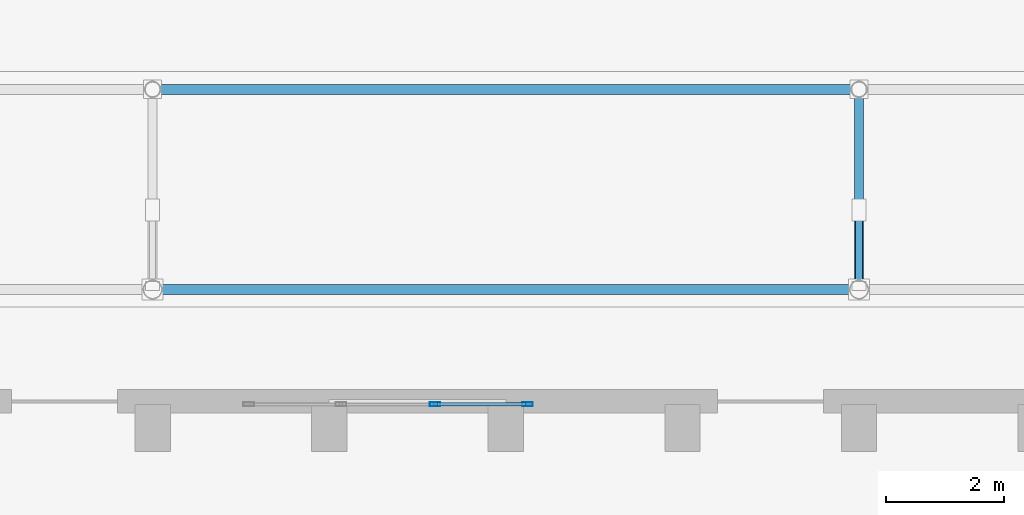
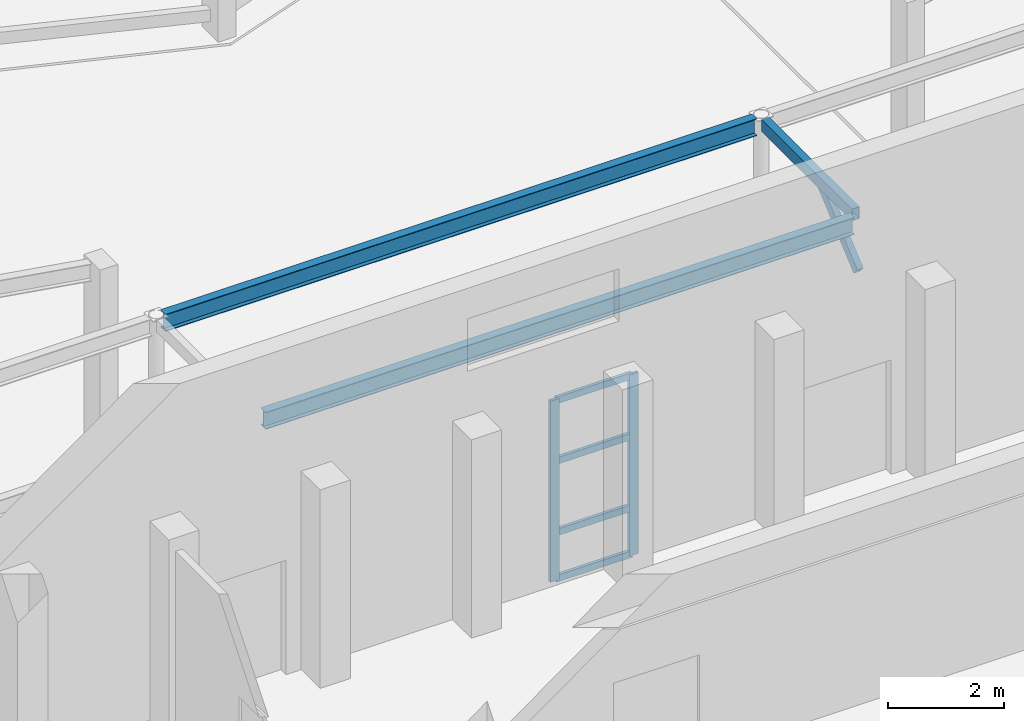
# One storey, part 21 of 114: 7 members, 3 beams, 1 element without a shape of its own.
"""IFC4 building model written with IfcOpenShell, lengths in metres."""

from ifc_helpers import new_model, si_unit, direction, frame, origin, origin_2d, place, context, subcontext, project, spatial, hollow_rectangle, i_section, extrude, material, layer, layer_set, material_profile, profile_set, type_object, element, aggregate, save


model = new_model("IFC4")

# Units and contexts
model_context = context("Model", 3, precision=1e-05, world=origin(), true_north=direction((0.0, 1.0)))
body_context = subcontext(model_context, "Body", "Model", "MODEL_VIEW")
ifc_project = project(units=[si_unit("LENGTHUNIT", "METRE"), si_unit("AREAUNIT", "SQUARE_METRE"), si_unit("VOLUMEUNIT", "CUBIC_METRE"), si_unit("PLANEANGLEUNIT", "RADIAN"), si_unit("MASSUNIT", "GRAM", prefix="KILO")], contexts=[model_context])

# Site, building, storey
site_placement = place(None, origin())
site = spatial("IfcSite", under=ifc_project, at=site_placement, CompositionType="ELEMENT")
building_placement = place(site_placement, origin())
building = spatial("IfcBuilding", under=site, at=building_placement, Name="Keldmere Railside Commons", CompositionType="ELEMENT")
storey_placement = place(building_placement, origin())
storey = spatial("IfcBuildingStorey", under=building, at=storey_placement, Name="L00", CompositionType="ELEMENT", Elevation=0.0)

# Curtain wall, members
ifc_material_1 = material(Name="Thermally Broken Aluminium", Category="aluminium")
ifc_layer = layer(ifc_material_1, 0.159912109375, Name="Community Hall Foyer Glazed Screen CW 4800x3800")
ifc_layer_set = layer_set([ifc_layer], Name="Thermally Broken Aluminium")
curtain_wall_type = type_object("IfcCurtainWallType", Name="Community Hall Foyer Glazed Screen CW 4800x3800", PredefinedType="NOTDEFINED", material=ifc_layer_set)
curtain_wall_placement = place(storey_placement, origin())
curtain_wall = element("IfcCurtainWall", 1, at=curtain_wall_placement, inside=storey, type_object=curtain_wall_type, Name="CW-05 CW-L00-211", PredefinedType="NOTDEFINED")
ifc_material_profile_1 = material_profile(ifc_material_1, hollow_rectangle(XDim=0.06494140625, YDim=0.179931640625, WallThickness=0.00390625, at=origin_2d()), Name="ALU-MULL-65x180")
ifc_profile_set_1 = profile_set([ifc_material_profile_1], Name="Thermally Broken Aluminium")
member_type_1 = type_object("IfcMemberType", Name="Civic Tall Curtain Wall Mullion 65x180", PredefinedType="MULLION", material=ifc_profile_set_1)
member_1_placement = place(storey_placement, frame((80.800048828125, 47.14990234375, 0.0), z_axis=(0.0, 0.0, 1.0), x_axis=(0.0, 1.0, 0.0)))
member_1 = element("IfcMember", 2, at=member_1_placement, type_object=member_type_1, Name="CW-05 mullion 3", PredefinedType="MULLION", context=body_context, shape_type="SweptSolid", body=[
    extrude(hollow_rectangle(XDim=0.06494140625, YDim=0.179931640625, WallThickness=0.00390625, at=origin_2d()), origin(), (0.0, 0.0, 1.0), 3.800048828125),
])
member_2_placement = place(storey_placement, frame((82.367431640625, 47.14990234375, 0.0), z_axis=(0.0, 0.0, 1.0), x_axis=(0.0, 1.0, 0.0)))
member_2 = element("IfcMember", 3, at=member_2_placement, type_object=member_type_1, Name="CW-05 mullion 4", PredefinedType="MULLION", context=body_context, shape_type="SweptSolid", body=[
    extrude(hollow_rectangle(XDim=0.06494140625, YDim=0.179931640625, WallThickness=0.00390625, at=origin_2d()), origin(), (0.0, 0.0, 1.0), 3.800048828125),
])
ifc_material_profile_2 = material_profile(ifc_material_1, hollow_rectangle(XDim=0.06494140625, YDim=0.139892578125, WallThickness=0.00390625, at=origin_2d()), Name="ALU-TRAN-65x140")
ifc_profile_set_2 = profile_set([ifc_material_profile_2], Name="Thermally Broken Aluminium")
member_type_2 = type_object("IfcMemberType", Name="Civic Tall Curtain Wall Transom 65x140", PredefinedType="USERDEFINED", material=ifc_profile_set_2)
member_3_placement = place(storey_placement, frame((80.83251953125, 47.14990234375, 0.032470703125), z_axis=(1.0, 0.0, 0.0), x_axis=(0.0, 1.0, 0.0)))
member_3 = element("IfcMember", 4, at=member_3_placement, type_object=member_type_2, Name="CW-05 transom 3.1", ObjectType="TRANSOM", PredefinedType="USERDEFINED", context=body_context, shape_type="SweptSolid", body=[
    extrude(hollow_rectangle(XDim=0.06494140625, YDim=0.139892578125, WallThickness=0.00390625, at=origin_2d()), origin(), (0.0, 0.0, 1.0), 1.50244140625),
])
member_4_placement = place(storey_placement, frame((80.83251953125, 47.14990234375, 1.0), z_axis=(1.0, 0.0, 0.0), x_axis=(0.0, 1.0, 0.0)))
member_4 = element("IfcMember", 5, at=member_4_placement, type_object=member_type_2, Name="CW-05 transom 3.2", ObjectType="TRANSOM", PredefinedType="USERDEFINED", context=body_context, shape_type="SweptSolid", body=[
    extrude(hollow_rectangle(XDim=0.06494140625, YDim=0.139892578125, WallThickness=0.00390625, at=origin_2d()), origin(), (0.0, 0.0, 1.0), 1.50244140625),
])
member_5_placement = place(storey_placement, frame((80.83251953125, 47.14990234375, 2.5), z_axis=(1.0, 0.0, 0.0), x_axis=(0.0, 1.0, 0.0)))
member_5 = element("IfcMember", 6, at=member_5_placement, type_object=member_type_2, Name="CW-05 transom 3.3", ObjectType="TRANSOM", PredefinedType="USERDEFINED", context=body_context, shape_type="SweptSolid", body=[
    extrude(hollow_rectangle(XDim=0.06494140625, YDim=0.139892578125, WallThickness=0.00390625, at=origin_2d()), origin(), (0.0, 0.0, 1.0), 1.50244140625),
])
member_6_placement = place(storey_placement, frame((80.83251953125, 47.14990234375, 3.767578125), z_axis=(1.0, 0.0, 0.0), x_axis=(0.0, 1.0, 0.0)))
member_6 = element("IfcMember", 7, at=member_6_placement, type_object=member_type_2, Name="CW-05 transom 3.4", ObjectType="TRANSOM", PredefinedType="USERDEFINED", context=body_context, shape_type="SweptSolid", body=[
    extrude(hollow_rectangle(XDim=0.06494140625, YDim=0.139892578125, WallThickness=0.00390625, at=origin_2d()), origin(), (0.0, 0.0, 1.0), 1.50244140625),
])
aggregate(curtain_wall, [member_1, member_2, member_3, member_4, member_5, member_6])

# Beams
ifc_material_2 = material(Name="Steel F-36 (S355)", Category="steel")
ifc_material_profile_3 = material_profile(ifc_material_2, i_section(OverallWidth=0.169921875, OverallDepth=0.360107421875, WebThickness=0.008056640625, FlangeThickness=0.0126953125, at=origin_2d()), Name="IPE-360")
ifc_profile_set_3 = profile_set([ifc_material_profile_3], Name="Steel F-36 (S355)")
beam_type_1 = type_object("IfcBeamType", Name="Colonnade Canopy Girder IPE360", PredefinedType="BEAM", material=ifc_profile_set_3)
beam_1_placement = place(storey_placement, frame((76.159912109375, 49.10009765625, 3.830078125), z_axis=(1.0, 0.0, 0.0), x_axis=(0.0, 1.0, 0.0)))
element("IfcBeam", 8, at=beam_1_placement, inside=storey, type_object=beam_type_1, Name="CNB-1 BM-L00-2680", PredefinedType="BEAM", context=body_context, shape_type="SweptSolid", body=[
    extrude(i_section(OverallWidth=0.169921875, OverallDepth=0.360107421875, WebThickness=0.008056640625, FlangeThickness=0.0126953125, at=origin_2d()), origin(), (0.0, 0.0, 1.0), 11.68017578125),
])
beam_2_placement = place(storey_placement, frame((76.135009765625, 52.5, 3.830078125), z_axis=(1.0, 0.0, 0.0), x_axis=(0.0, 1.0, 0.0)))
element("IfcBeam", 9, at=beam_2_placement, inside=storey, type_object=beam_type_1, Name="CNB-1 BM-L00-2681", PredefinedType="BEAM", context=body_context, shape_type="SweptSolid", body=[
    extrude(i_section(OverallWidth=0.169921875, OverallDepth=0.360107421875, WebThickness=0.008056640625, FlangeThickness=0.0126953125, at=origin_2d()), origin(), (0.0, 0.0, 1.0), 11.72998046875),
])

# Member
ifc_material_profile_4 = material_profile(ifc_material_2, hollow_rectangle(XDim=0.1201171875, YDim=0.199951171875, WallThickness=0.008056640625, at=origin_2d()), Name="RHS-200x120x8")
ifc_profile_set_4 = profile_set([ifc_material_profile_4], Name="Steel F-36 (S355)")
member_type_3 = type_object("IfcMemberType", Name="Colonnade Canopy Raking Strut RHS200x120", PredefinedType="STRUT", material=ifc_profile_set_4)
member_7_placement = place(storey_placement, frame((88.0, 49.159912109375, 2.75), z_axis=(0.0, 0.757989431665, 0.65226683304), x_axis=(-1.0, 0.0, 0.0)))
element("IfcMember", 10, at=member_7_placement, inside=storey, type_object=member_type_3, Name="STR-1 MEM-STR-044", PredefinedType="STRUT", context=body_context, shape_type="SweptSolid", body=[
    extrude(hollow_rectangle(XDim=0.1201171875, YDim=0.199951171875, WallThickness=0.008056640625, at=origin_2d()), origin(), (0.0, 0.0, 1.0), 1.701904296875),
])

# Beam
ifc_material_profile_5 = material_profile(ifc_material_2, hollow_rectangle(XDim=0.14990234375, YDim=0.25, WallThickness=0.010009765625, at=origin_2d()), Name="RHS-250x150x10")
ifc_profile_set_5 = profile_set([ifc_material_profile_5], Name="Steel F-36 (S355)")
beam_type_2 = type_object("IfcBeamType", Name="Colonnade Transverse Tie RHS250x150", PredefinedType="BEAM", material=ifc_profile_set_5)
beam_3_placement = place(storey_placement, frame((88.0, 49.260009765625, 3.8798828125), z_axis=(0.0, 1.0, 0.0), x_axis=(-1.0, 0.0, 0.0)))
element("IfcBeam", 11, at=beam_3_placement, inside=storey, type_object=beam_type_2, Name="CNB-2 BM-L00-2702", PredefinedType="BEAM", context=body_context, shape_type="SweptSolid", body=[
    extrude(hollow_rectangle(XDim=0.14990234375, YDim=0.25, WallThickness=0.010009765625, at=origin_2d()), origin(), (0.0, 0.0, 1.0), 3.10498046875),
])

save(model, "model.ifc")
